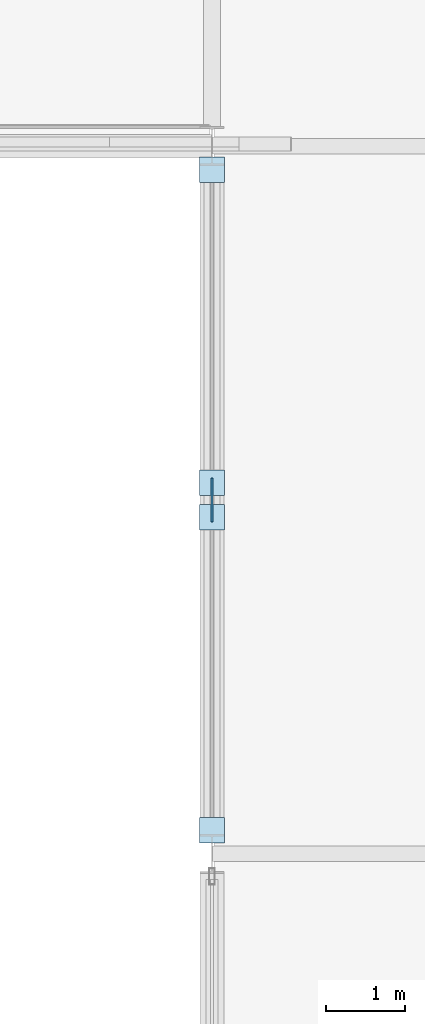
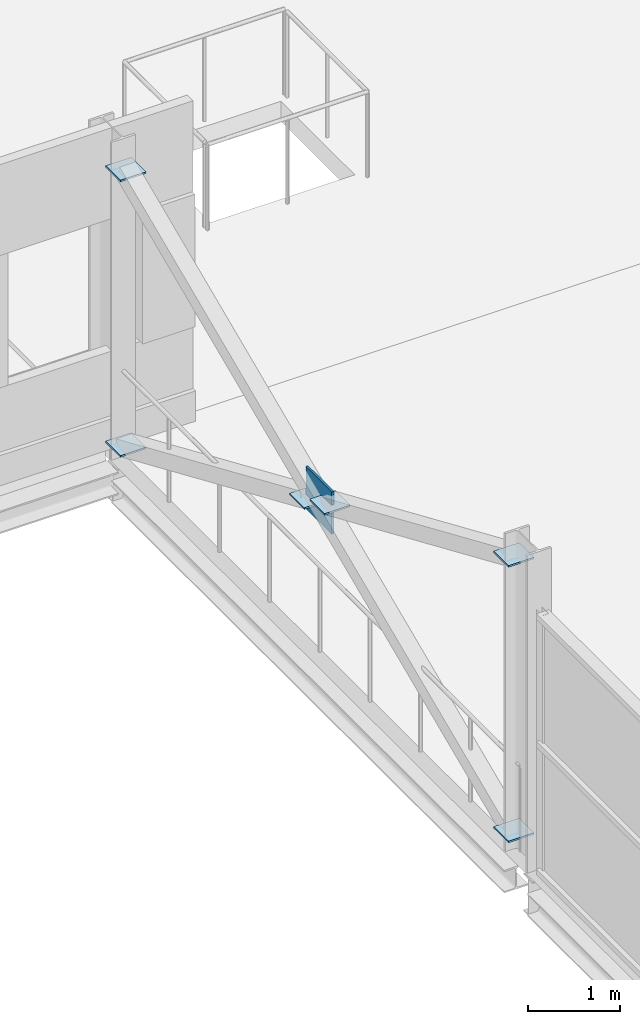
# One storey, part 82 of 103: 7 plates.
"""IFC4 building model written with IfcOpenShell, lengths in metres."""

from ifc_helpers import new_model, si_unit, direction, frame, origin, origin_2d, place, context, subcontext, project, spatial, rectangle, extrude, material, layer, layer_set, type_object, element, save


model = new_model("IFC4")

# Units and contexts
model_context = context("Model", 3, precision=1e-05, world=origin(), true_north=direction((0.0, 1.0)))
body_context = subcontext(model_context, "Body", "Model", "MODEL_VIEW")
ifc_project = project(units=[si_unit("LENGTHUNIT", "METRE"), si_unit("AREAUNIT", "SQUARE_METRE"), si_unit("VOLUMEUNIT", "CUBIC_METRE"), si_unit("PLANEANGLEUNIT", "RADIAN"), si_unit("MASSUNIT", "GRAM", prefix="KILO")], contexts=[model_context])

# Site, building, storey
site_placement = place(None, origin())
site = spatial("IfcSite", under=ifc_project, at=site_placement, CompositionType="ELEMENT")
building_placement = place(site_placement, origin())
building = spatial("IfcBuilding", under=site, at=building_placement, Name="Deido Ridge Mobility Hub", CompositionType="ELEMENT")
storey_placement = place(building_placement, frame((0.0, 0.0, 12.60009765625)))
storey = spatial("IfcBuildingStorey", under=building, at=storey_placement, Name="L03", CompositionType="ELEMENT", Elevation=12.60009765625)

# Plates
ifc_material = material(Name="Steel S355J2 EN 10025-2", Category="steel")
ifc_layer_1 = layer(ifc_material, 0.02197265625, Name="Steel S355J2 EN 10025-2")
ifc_layer_set_1 = layer_set([ifc_layer_1], Name="Steel S355J2 EN 10025-2")
plate_type_1 = type_object("IfcPlateType", Name="PLT-CAP-22", PredefinedType="USERDEFINED", material=ifc_layer_set_1)
for number, where, z_axis, x_axis, name in (
    (1, (72.0, 72.300048828125, 0.1689453125), (0.0, 0.0, 1.0), (1.0, 0.0, 0.0), "Brace sealed end-cap plate EC2 57"),
    (2, (72.0, 80.699951171875, 3.808837890625), (0.0, 0.0, 1.0), (1.0, 0.0, 0.0), "Brace sealed end-cap plate EC2 58"),
    (3, (72.0, 80.699951171875, 0.1689453125), (0.0, 0.0, 1.0), (1.0, 0.0, 0.0), "Brace sealed end-cap plate EC2 59"),
    (4, (72.0, 72.300048828125, 3.808837890625), (0.0, 0.0, 1.0), (1.0, 0.0, 0.0), "Brace sealed end-cap plate EC2 60"),
    (5, (72.0, 76.72021484375, 1.8935546875), (0.0, 0.0, 1.0), (1.0, 0.0, 0.0), "Brace sealed end-cap plate EC2 61"),
    (6, (72.0, 76.27978515625, 2.084228515625), (0.0, 0.0, 1.0), (1.0, 0.0, 0.0), "Brace sealed end-cap plate EC2 62"),
):
    element("IfcPlate", number, at=place(storey_placement, frame(where, z_axis=z_axis, x_axis=x_axis)), inside=storey, type_object=plate_type_1, Name=name, ObjectType="END CAP PLATE", PredefinedType="USERDEFINED", context=body_context, shape_type="SweptSolid", body=[
        extrude(rectangle(XDim=0.320068359375, YDim=0.320068359375, at=origin_2d()), origin(), (0.0, 0.0, 1.0), 0.02197265625),
    ])
ifc_layer_2 = layer(ifc_material, 0.028076171875, Name="Steel S355J2 EN 10025-2")
ifc_layer_set_2 = layer_set([ifc_layer_2], Name="Steel S355J2 EN 10025-2")
plate_type_2 = type_object("IfcPlateType", Name="PLT-GUS-28", PredefinedType="USERDEFINED", material=ifc_layer_set_2)
plate_placement = place(storey_placement, frame((72.0, 76.5, 1.719970703125), z_axis=(0.0, 0.0, 1.0), x_axis=(0.0, 1.0, 0.0)))
element("IfcPlate", 7, at=plate_placement, inside=storey, type_object=plate_type_2, Name="X-brace central crossing gusset plate GP3 63", ObjectType="GUSSET PLATE", PredefinedType="USERDEFINED", context=body_context, shape_type="SweptSolid", body=[
    extrude(rectangle(XDim=0.56005859375, YDim=0.028076171875, at=origin_2d()), origin(), (0.0, 0.0, 1.0), 0.56005859375),
])

save(model, "model.ifc")
